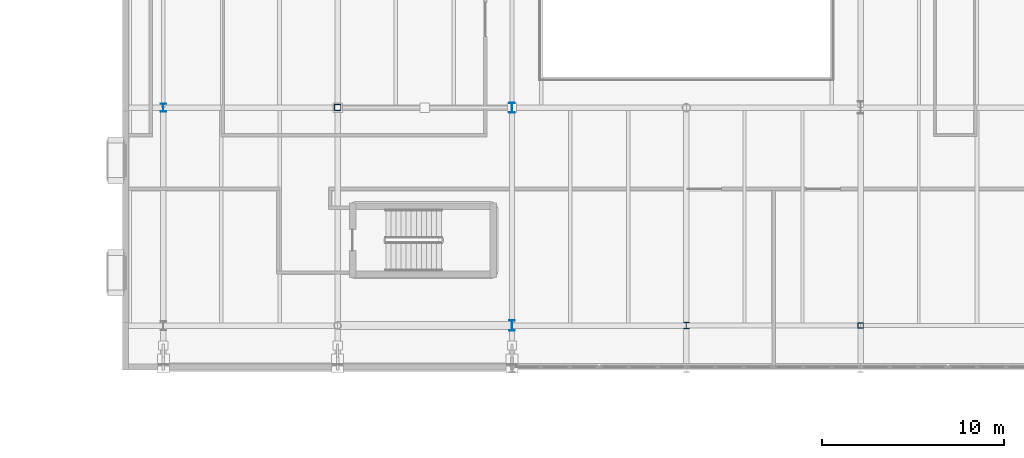
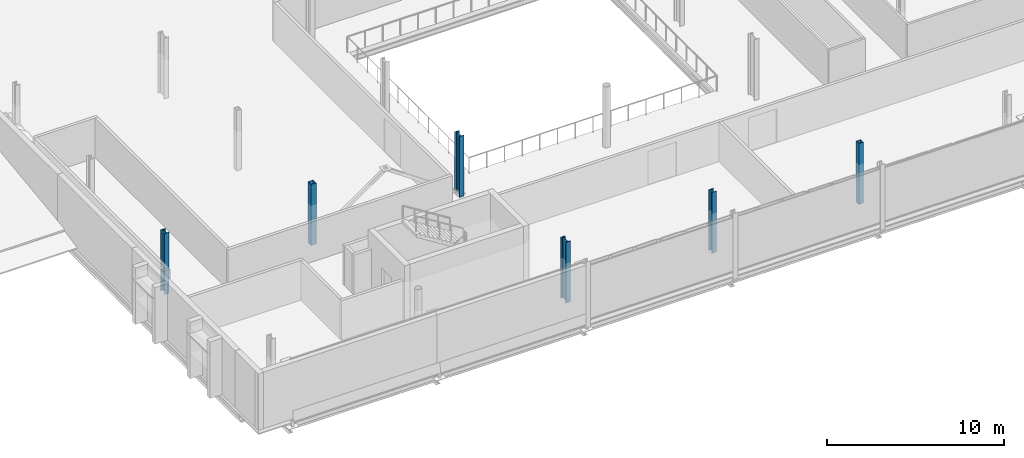
# One storey, part 5 of 90: 6 columns.
"""IFC4 building model written with IfcOpenShell, lengths in metres."""

from ifc_helpers import new_model, si_unit, direction, frame, origin, origin_2d, place, context, subcontext, project, spatial, hollow_rectangle, i_section, extrude, material, material_profile, profile_set, type_object, element, save


model = new_model("IFC4")

# Units and contexts
model_context = context("Model", 3, precision=1e-05, world=origin(), true_north=direction((0.0, 1.0)))
body_context = subcontext(model_context, "Body", "Model", "MODEL_VIEW")
ifc_project = project(units=[si_unit("LENGTHUNIT", "METRE"), si_unit("AREAUNIT", "SQUARE_METRE"), si_unit("VOLUMEUNIT", "CUBIC_METRE"), si_unit("PLANEANGLEUNIT", "RADIAN"), si_unit("MASSUNIT", "GRAM", prefix="KILO")], contexts=[model_context])

# Site, building, storey
site_placement = place(None, origin())
site = spatial("IfcSite", under=ifc_project, at=site_placement, CompositionType="ELEMENT")
building_placement = place(site_placement, origin())
building = spatial("IfcBuilding", under=site, at=building_placement, Name="Zereglee Splitstone Museum", CompositionType="ELEMENT")
storey_placement = place(building_placement, frame((0.0, 0.0, 4.800048828125)))
storey = spatial("IfcBuildingStorey", under=building, at=storey_placement, Name="L01", CompositionType="ELEMENT", Elevation=4.800048828125)

# Columns
ifc_material_1 = material(Name="Steel S355J2", Category="steel")
ifc_material_profile_1 = material_profile(ifc_material_1, i_section(OverallWidth=0.300048828125, OverallDepth=0.360107421875, WebThickness=0.012451171875, FlangeThickness=0.0224609375, FilletRadius=0.027099609375, at=origin_2d()), Name="HE 360 B")
ifc_profile_set_1 = profile_set([ifc_material_profile_1], Name="Steel S355J2")
column_type_1 = type_object("IfcColumnType", Name="C-16", PredefinedType="COLUMN", material=ifc_profile_set_1)
column_1_placement = place(storey_placement, frame((106.800048828125, 9.60009765625, 0.0), z_axis=(0.0, 0.0, 1.0), x_axis=(1.0, 0.0, 0.0)))
element("IfcColumn", 1, at=column_1_placement, inside=storey, type_object=column_type_1, Name="Column 13/B L01", PredefinedType="COLUMN", context=body_context, shape_type="SweptSolid", body=[
    extrude(i_section(OverallWidth=0.300048828125, OverallDepth=0.360107421875, WebThickness=0.012451171875, FlangeThickness=0.0224609375, FilletRadius=0.027099609375, at=origin_2d()), origin(), (0.0, 0.0, 1.0), 4.199951171875),
])
ifc_material_profile_2 = material_profile(ifc_material_1, i_section(OverallWidth=0.300048828125, OverallDepth=0.449951171875, WebThickness=0.013916015625, FlangeThickness=0.02587890625, FilletRadius=0.027099609375, at=origin_2d()), Name="HE 450 B")
ifc_profile_set_2 = profile_set([ifc_material_profile_2], Name="Steel S355J2")
column_type_2 = type_object("IfcColumnType", Name="C-14", PredefinedType="COLUMN", material=ifc_profile_set_2)
column_2_placement = place(storey_placement, frame((78.0, 21.60009765625, 0.0), z_axis=(0.0, 0.0, 1.0), x_axis=(1.0, 0.0, 0.0)))
element("IfcColumn", 2, at=column_2_placement, inside=storey, type_object=column_type_2, Name="Column 10/C L01", PredefinedType="COLUMN", context=body_context, shape_type="SweptSolid", body=[
    extrude(i_section(OverallWidth=0.300048828125, OverallDepth=0.449951171875, WebThickness=0.013916015625, FlangeThickness=0.02587890625, FilletRadius=0.027099609375, at=origin_2d()), origin(), (0.0, 0.0, 1.0), 4.199951171875),
])
ifc_material_profile_3 = material_profile(ifc_material_1, i_section(OverallWidth=0.300048828125, OverallDepth=0.550048828125, WebThickness=0.014892578125, FlangeThickness=0.029052734375, FilletRadius=0.027099609375, at=origin_2d()), Name="HE 550 B")
ifc_profile_set_3 = profile_set([ifc_material_profile_3], Name="Steel S355J2")
column_type_3 = type_object("IfcColumnType", Name="C-12", PredefinedType="COLUMN", material=ifc_profile_set_3)
column_3_placement = place(storey_placement, frame((97.199951171875, 21.60009765625, 0.0), z_axis=(0.0, 0.0, 1.0), x_axis=(1.0, 0.0, 0.0)))
element("IfcColumn", 3, at=column_3_placement, inside=storey, type_object=column_type_3, Name="Column 12/C L01", PredefinedType="COLUMN", context=body_context, shape_type="SweptSolid", body=[
    extrude(i_section(OverallWidth=0.300048828125, OverallDepth=0.550048828125, WebThickness=0.014892578125, FlangeThickness=0.029052734375, FilletRadius=0.027099609375, at=origin_2d()), origin(), (0.0, 0.0, 1.0), 4.199951171875),
])
ifc_material_profile_4 = material_profile(ifc_material_1, i_section(OverallWidth=0.300048828125, OverallDepth=0.60009765625, WebThickness=0.015380859375, FlangeThickness=0.030029296875, FilletRadius=0.027099609375, at=origin_2d()), Name="HE 600 B")
ifc_profile_set_4 = profile_set([ifc_material_profile_4], Name="Steel S355J2")
column_type_4 = type_object("IfcColumnType", Name="C-11", PredefinedType="COLUMN", material=ifc_profile_set_4)
column_4_placement = place(storey_placement, frame((97.199951171875, 9.60009765625, 0.0), z_axis=(0.0, 0.0, 1.0), x_axis=(1.0, 0.0, 0.0)))
element("IfcColumn", 4, at=column_4_placement, inside=storey, type_object=column_type_4, Name="Column 12/B L01", PredefinedType="COLUMN", context=body_context, shape_type="SweptSolid", body=[
    extrude(i_section(OverallWidth=0.300048828125, OverallDepth=0.60009765625, WebThickness=0.015380859375, FlangeThickness=0.030029296875, FilletRadius=0.027099609375, at=origin_2d()), origin(), (0.0, 0.0, 1.0), 4.199951171875),
])
ifc_material_2 = material(Name="Steel S355J2H", Category="steel")
ifc_material_profile_5 = material_profile(ifc_material_2, hollow_rectangle(XDim=0.300048828125, YDim=0.300048828125, WallThickness=0.01611328125, at=origin_2d()), Name="SHS 300x300x16")
ifc_profile_set_5 = profile_set([ifc_material_profile_5], Name="Steel S355J2H")
column_type_5 = type_object("IfcColumnType", Name="C-20", PredefinedType="COLUMN", material=ifc_profile_set_5)
column_5_placement = place(storey_placement, frame((116.39990234375, 9.60009765625, 0.0), z_axis=(0.0, 0.0, 1.0), x_axis=(1.0, 0.0, 0.0)))
element("IfcColumn", 5, at=column_5_placement, inside=storey, type_object=column_type_5, Name="Column 14/B L01", PredefinedType="COLUMN", context=body_context, shape_type="SweptSolid", body=[
    extrude(hollow_rectangle(XDim=0.300048828125, YDim=0.300048828125, WallThickness=0.01611328125, at=origin_2d()), origin(), (0.0, 0.0, 1.0), 4.199951171875),
])
ifc_material_profile_6 = material_profile(ifc_material_2, hollow_rectangle(XDim=0.35009765625, YDim=0.35009765625, WallThickness=0.01611328125, at=origin_2d()), Name="SHS 350x350x16")
ifc_profile_set_6 = profile_set([ifc_material_profile_6], Name="Steel S355J2H")
column_type_6 = type_object("IfcColumnType", Name="C-19", PredefinedType="COLUMN", material=ifc_profile_set_6)
column_6_placement = place(storey_placement, frame((87.60009765625, 21.60009765625, 0.0), z_axis=(0.0, 0.0, 1.0), x_axis=(1.0, 0.0, 0.0)))
element("IfcColumn", 6, at=column_6_placement, inside=storey, type_object=column_type_6, Name="Column 11/C L01", PredefinedType="COLUMN", context=body_context, shape_type="SweptSolid", body=[
    extrude(hollow_rectangle(XDim=0.35009765625, YDim=0.35009765625, WallThickness=0.01611328125, at=origin_2d()), origin(), (0.0, 0.0, 1.0), 4.199951171875),
])

save(model, "model.ifc")
